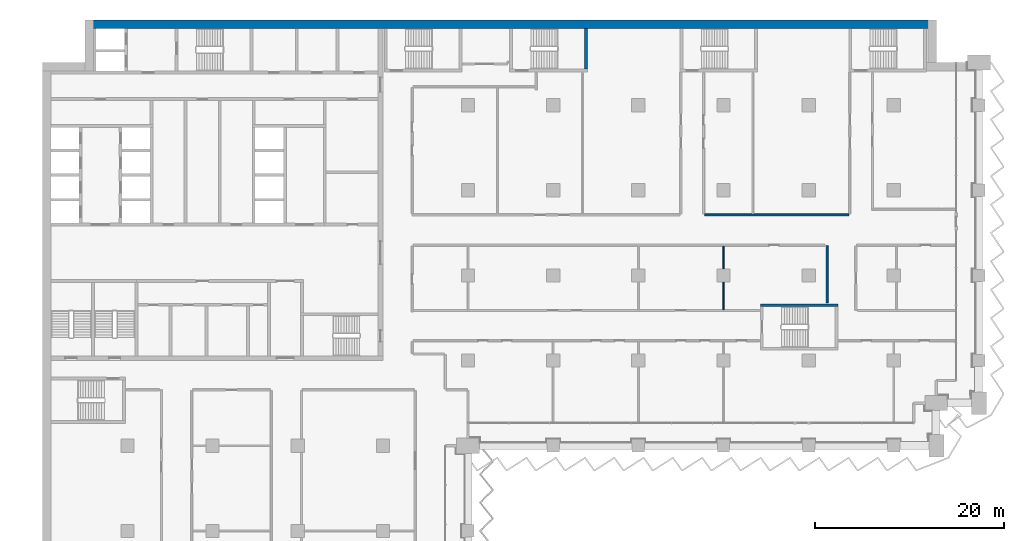
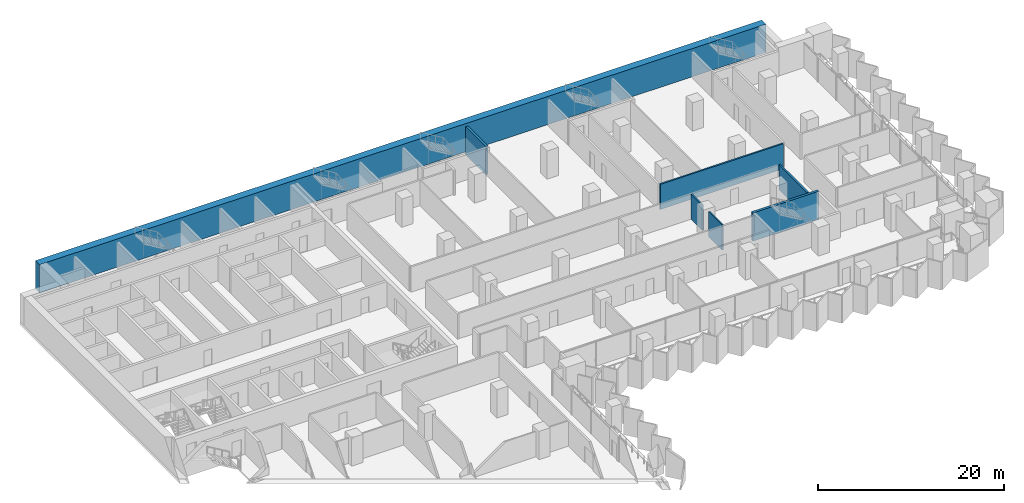
# One storey, part 17 of 28: 7 walls.
"""IFC4 building model written with IfcOpenShell, lengths in metres."""

from ifc_helpers import new_model, si_unit, direction, frame, frame_2d, origin, place, context, subcontext, project, spatial, rectangle, extrude, material, layer, layer_set, type_object, element, save


model = new_model("IFC4")

# Units and contexts
model_context = context("Model", 3, precision=1e-05, world=origin(), true_north=direction((0.0, 1.0)))
body_context = subcontext(model_context, "Body", "Model", "MODEL_VIEW")
ifc_project = project(units=[si_unit("LENGTHUNIT", "METRE"), si_unit("AREAUNIT", "SQUARE_METRE"), si_unit("VOLUMEUNIT", "CUBIC_METRE"), si_unit("PLANEANGLEUNIT", "RADIAN"), si_unit("MASSUNIT", "GRAM", prefix="KILO")], contexts=[model_context])

# Site, building, storey
site_placement = place(None, origin())
site = spatial("IfcSite", under=ifc_project, at=site_placement, CompositionType="ELEMENT")
building_placement = place(site_placement, origin())
building = spatial("IfcBuilding", under=site, at=building_placement, Name="Hunhe Ridgeline Campus", CompositionType="ELEMENT")
storey_placement = place(building_placement, frame((0.0, 0.0, 72.800048828125)))
storey = spatial("IfcBuildingStorey", under=building, at=storey_placement, Name="L17", CompositionType="ELEMENT", Elevation=72.800048828125)

# Walls
ifc_material_1 = material(Name="Gypsum board partition")
ifc_layer_1 = layer(ifc_material_1, 0.199951171875)
ifc_layer_set_1 = layer_set([ifc_layer_1], Name="Corridor partition 200 gypsum board on steel studs")
wall_type_1 = type_object("IfcWallType", Name="Corridor partition 200 gypsum board on steel studs", PredefinedType="PARTITIONING", material=ifc_layer_set_1)
wall_1_placement = place(storey_placement, frame((70.0, 78.39990234375, 0.0), z_axis=(0.0, 0.0, 1.0), x_axis=(1.0, 0.0, 0.0)))
element("IfcWall", 1, at=wall_1_placement, inside=storey, type_object=wall_type_1, Name="F-L17-wall-040", PredefinedType="PARTITIONING", context=body_context, shape_type="SweptSolid", body=[
    extrude(rectangle(XDim=15.25, YDim=0.199951171875, at=frame_2d((7.625, 0.0))), origin(), (0.0, 0.0, 1.0), 3.300048828125),
])
wall_2_placement = place(storey_placement, frame((82.949951171875, 69.10400390625, 0.0), z_axis=(0.0, 0.0, 1.0), x_axis=(0.0, 1.0, 0.0)))
element("IfcWall", 2, at=wall_2_placement, inside=storey, type_object=wall_type_1, Name="F-L17-wall-085", PredefinedType="PARTITIONING", context=body_context, shape_type="SweptSolid", body=[
    extrude(rectangle(XDim=6.0458984375, YDim=0.199951171875, at=frame_2d((3.02294921875, 0.0))), origin(), (0.0, 0.0, 1.0), 3.300048828125),
])
ifc_layer_2 = layer(ifc_material_1, 0.14990234375)
ifc_layer_set_2 = layer_set([ifc_layer_2], Name="Room partition 150 gypsum board on steel studs")
wall_type_2 = type_object("IfcWallType", Name="Room partition 150 gypsum board on steel studs", PredefinedType="PARTITIONING", material=ifc_layer_set_2)
wall_3_placement = place(storey_placement, frame((72.0, 71.300048828125, 0.0), z_axis=(0.0, 0.0, 1.0), x_axis=(0.0, -1.0, 0.0)))
element("IfcWall", 3, at=wall_3_placement, inside=storey, type_object=wall_type_2, Name="F-L17-wall-082", PredefinedType="PARTITIONING", context=body_context, shape_type="SweptSolid", body=[
    extrude(rectangle(XDim=2.900146484375, YDim=0.14990234375, at=frame_2d((1.4501953125, 0.0))), origin(), (0.0, 0.0, 1.0), 3.300048828125),
])
wall_4_placement = place(storey_placement, frame((72.0, 75.10009765625, 0.0), z_axis=(0.0, 0.0, 1.0), x_axis=(0.0, -1.0, 0.0)))
element("IfcWall", 4, at=wall_4_placement, inside=storey, type_object=wall_type_2, Name="F-L17-wall-083", PredefinedType="PARTITIONING", context=body_context, shape_type="SweptSolid", body=[
    extrude(rectangle(XDim=2.400146484375, YDim=0.14990234375, at=frame_2d((1.2001953125, 0.0))), origin(), (0.0, 0.0, 1.0), 3.300048828125),
])
ifc_material_2 = material(Name="Concrete C80", Category="concrete")
ifc_layer_3 = layer(ifc_material_2, 0.89990234375)
ifc_layer_set_3 = layer_set([ifc_layer_3], Name="Spine wall 900 Concrete C80")
wall_type_3 = type_object("IfcWallType", Name="Spine wall 900 Concrete C80", PredefinedType="SHEAR", material=ifc_layer_set_3)
wall_5_placement = place(storey_placement, frame((94.5, 98.550048828125, 0.0), z_axis=(0.0, 0.0, 1.0), x_axis=(-1.0, 0.0, 0.0)))
element("IfcWall", 5, at=wall_5_placement, inside=storey, type_object=wall_type_3, Name="Spine wall SW1-4 L17", PredefinedType="SHEAR", context=body_context, shape_type="SweptSolid", body=[
    extrude(rectangle(XDim=90.0, YDim=0.89990234375, at=frame_2d((45.0, 0.0))), origin(), (0.0, 0.0, 1.0), 3.699951171875),
])
ifc_layer_4 = layer(ifc_material_2, 0.300048828125)
ifc_layer_set_4 = layer_set([ifc_layer_4], Name="Stair wall 300 reinforced concrete C80")
wall_type_4 = type_object("IfcWallType", Name="Stair wall 300 reinforced concrete C80", PredefinedType="SOLIDWALL", material=ifc_layer_set_4)
wall_6_placement = place(storey_placement, frame((75.89990234375, 68.85009765625, -0.400146484375), z_axis=(0.0, 0.0, 1.0), x_axis=(1.0, 0.0, 0.0)))
element("IfcWall", 6, at=wall_6_placement, inside=storey, type_object=wall_type_4, Name="L17 core wall 10", PredefinedType="SOLIDWALL", context=body_context, shape_type="SweptSolid", body=[
    extrude(rectangle(XDim=8.2001953125, YDim=0.300048828125, at=frame_2d((4.10009765625, 0.0))), origin(), (0.0, 0.0, 1.0), 3.7001953125),
])
wall_7_placement = place(storey_placement, frame((57.449951171875, 93.800048828125, -0.400146484375), z_axis=(0.0, 0.0, 1.0), x_axis=(0.0, 1.0, 0.0)))
element("IfcWall", 7, at=wall_7_placement, inside=storey, type_object=wall_type_4, Name="L17 core wall 68", PredefinedType="SOLIDWALL", context=body_context, shape_type="SweptSolid", body=[
    extrude(rectangle(XDim=4.300048828125, YDim=0.300048828125, at=frame_2d((2.14990234375, 0.0))), origin(), (0.0, 0.0, 1.0), 3.7001953125),
])

save(model, "model.ifc")
